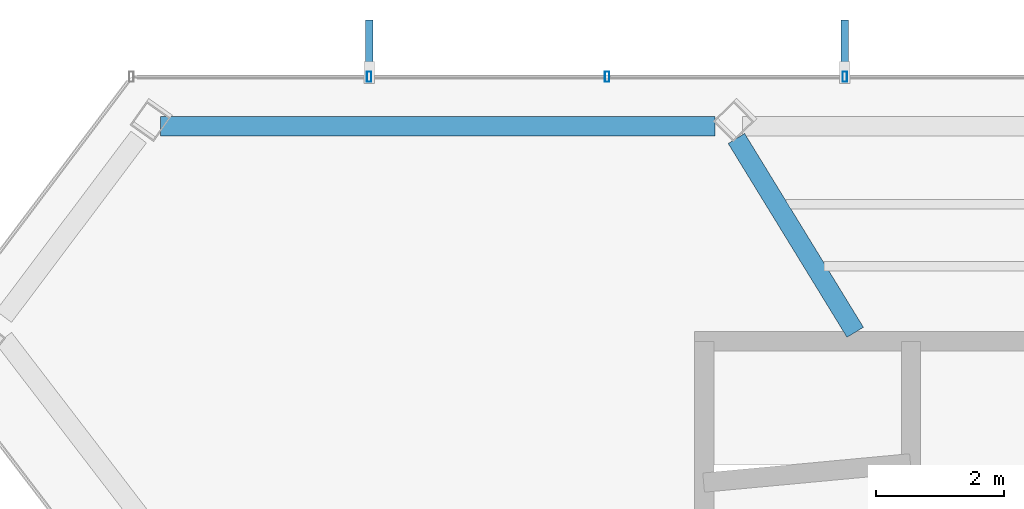
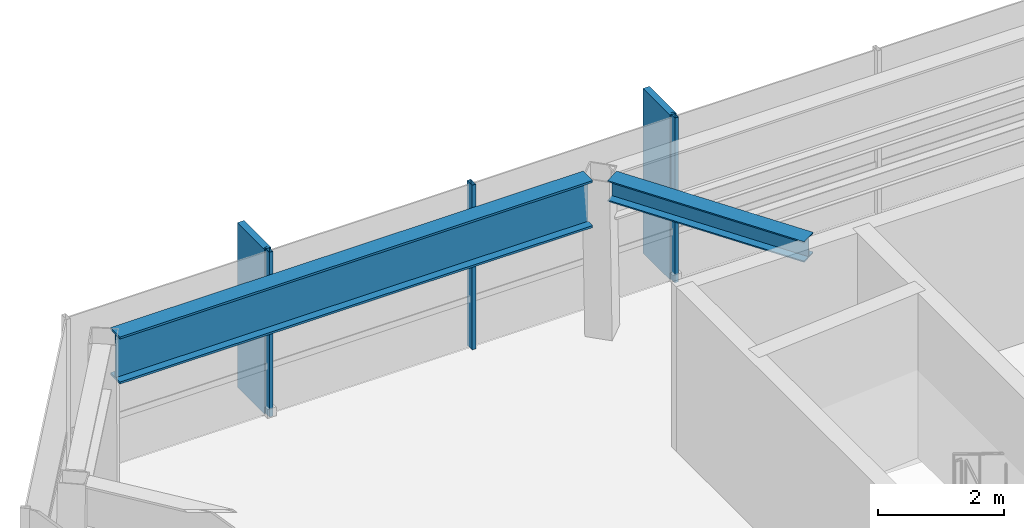
# One storey, part 11 of 22: 5 members, 2 beams, 1 element without a shape of its own.
"""IFC4 building model written with IfcOpenShell, lengths in metres."""

import ifcopenshell
import ifcopenshell.guid

model = None  # the IFC model being written
_history = None  # IfcOwnerHistory: only IFC2X3 demands one
_inside = {}  # id of a spatial element -> (the spatial element, [elements in it])
_under = {}  # id of a project, library or spatial element -> (it, [spatial elements below it])
_declared = {}  # id of a project -> (the project, [libraries it declares])
_typed = {}  # id of a type object -> (the type object, [elements of that type])
_made_of = {}  # id of a material, layer set ... -> (it, [elements and type objects made of it])


def new_model(schema):
    """Start an empty IFC model of exactly this schema.

    Asked for "IFC4X3", IfcOpenShell would pick the latest addendum, in which some entities
    have other attributes; the version numbers below select the first issue.
    IFC2X3 requires an IfcOwnerHistory on every rooted entity: one is made here for all.
    """
    global model, _history
    if schema == "IFC4X3":
        model = ifcopenshell.file(schema_version=(4, 3, 0, 0))
    else:
        model = ifcopenshell.file(schema=schema)
    _inside.clear()
    _under.clear()
    _declared.clear()
    _typed.clear()
    _made_of.clear()
    _history = None
    if model.schema == "IFC2X3":
        org = make("IfcOrganization", Name="unknown")
        user = make(
            "IfcPersonAndOrganization",
            ThePerson=make("IfcPerson", FamilyName="unknown"),
            TheOrganization=org,
        )
        app = make(
            "IfcApplication",
            ApplicationDeveloper=org,
            Version="unknown",
            ApplicationFullName="unknown",
            ApplicationIdentifier="unknown",
        )
        _history = make(
            "IfcOwnerHistory",
            OwningUser=user,
            OwningApplication=app,
            ChangeAction="ADDED",
            CreationDate=0,
        )
    return model


def make(cls, **values):
    """One entity of the class cls with the attributes given. An attribute that is None is left unset."""
    return model.create_entity(
        cls, **{name: value for name, value in values.items() if value is not None}
    )


def rooted(cls, **values):
    """An entity with a GlobalId (a new one), such as an element, a storey or a relation."""
    return make(cls, GlobalId=ifcopenshell.guid.new(), OwnerHistory=_history, **values)


def si_unit(unit_type, name, prefix=None):
    """IfcSIUnit, for example si_unit("LENGTHUNIT", "METRE", prefix="MILLI")."""
    return make("IfcSIUnit", UnitType=unit_type, Prefix=prefix, Name=name)


def assignment(units):
    """IfcUnitAssignment: the units of a project."""
    return None if units is None else make("IfcUnitAssignment", Units=units)


def point(xyz):
    """IfcCartesianPoint."""
    return None if xyz is None else make("IfcCartesianPoint", Coordinates=xyz)


def direction(xyz):
    """IfcDirection."""
    return None if xyz is None else make("IfcDirection", DirectionRatios=xyz)


def frame(location, z_axis=None, x_axis=None):
    """IfcAxis2Placement3D, a coordinate frame: its origin and axes. An axis left out is left unset."""
    return make(
        "IfcAxis2Placement3D",
        Location=point(location),
        Axis=direction(z_axis),
        RefDirection=direction(x_axis),
    )


def frame_2d(location, x_axis=None):
    """IfcAxis2Placement2D, a coordinate frame in the plane: its origin and x axis."""
    return make(
        "IfcAxis2Placement2D", Location=point(location), RefDirection=direction(x_axis)
    )


def origin():
    """The frame at (0, 0, 0) with its axes left unset."""
    return frame((0.0, 0.0, 0.0))


def origin_2d():
    """The frame at (0, 0) in the plane with its x axis left unset."""
    return frame_2d((0.0, 0.0))


def place(relative_to, where):
    """IfcLocalPlacement: puts the frame where relative to a parent placement (None: the world)."""
    return make(
        "IfcLocalPlacement", PlacementRelTo=relative_to, RelativePlacement=where
    )


def context(
    kind, dimensions, precision=None, world=None, true_north=None, identifier=None
):
    """IfcGeometricRepresentationContext, for example the 3D "Model" context."""
    return make(
        "IfcGeometricRepresentationContext",
        ContextIdentifier=identifier,
        ContextType=kind,
        CoordinateSpaceDimension=dimensions,
        Precision=precision,
        WorldCoordinateSystem=world,
        TrueNorth=true_north,
    )


def subcontext(parent, identifier, kind, view, scale=None):
    """IfcGeometricRepresentationSubContext, for example "Body" below "Model"."""
    return make(
        "IfcGeometricRepresentationSubContext",
        ContextIdentifier=identifier,
        ContextType=kind,
        ParentContext=parent,
        TargetScale=scale,
        TargetView=view,
    )


def project(units=None, contexts=None):
    """IfcProject with its units and contexts."""
    return rooted(
        "IfcProject",
        Name="project",
        RepresentationContexts=contexts,
        UnitsInContext=assignment(units),
    )


def spatial(cls, under=None, at=None, **own):
    """A site, building, storey or space (cls), placed at a placement, below another one or the project."""
    s = rooted(cls, ObjectPlacement=at, **own)
    if under is not None:
        _under.setdefault(under.id(), (under, []))[1].append(s)
    return s


def profile(cls, at=None, kind="AREA", **sizes):
    """A parametric profile (cls). Its sizes go by their IFC names, for example OverallWidth=200.0."""
    return make(cls, ProfileType=kind, Position=at, **sizes)


def rectangle(**sizes):
    """IfcRectangleProfileDef."""
    return profile("IfcRectangleProfileDef", **sizes)


def hollow_rectangle(**sizes):
    """IfcRectangleHollowProfileDef."""
    return profile("IfcRectangleHollowProfileDef", **sizes)


def i_section(**sizes):
    """IfcIShapeProfileDef."""
    return profile("IfcIShapeProfileDef", **sizes)


def extrude(swept, where, along, depth):
    """IfcExtrudedAreaSolid: the profile swept, set in the frame where, extruded along a direction by depth."""
    return make(
        "IfcExtrudedAreaSolid",
        SweptArea=swept,
        Position=where,
        ExtrudedDirection=direction(along),
        Depth=depth,
    )


def shape(context_of_items, identifier, shape_type, items):
    """IfcShapeRepresentation: the items that make up one representation, for example the "Body"."""
    return make(
        "IfcShapeRepresentation",
        ContextOfItems=context_of_items,
        RepresentationIdentifier=identifier,
        RepresentationType=shape_type,
        Items=items,
    )


def material(Name=None, Category=None):
    """IfcMaterial."""
    return make("IfcMaterial", Name=Name, Category=Category)


def layer(
    of_material, thickness, ventilated=None, Name=None, Category=None, Priority=None
):
    """IfcMaterialLayer: one layer of a wall or slab, of a material (None: an air gap)."""
    return make(
        "IfcMaterialLayer",
        Material=of_material,
        LayerThickness=thickness,
        IsVentilated=ventilated,
        Name=Name,
        Category=Category,
        Priority=Priority,
    )


def layer_set(layers, Name=None):
    """IfcMaterialLayerSet."""
    return make("IfcMaterialLayerSet", MaterialLayers=layers, LayerSetName=Name)


def material_profile(
    of_material, cross_section, Name=None, Category=None, Priority=None
):
    """IfcMaterialProfile: a cross section and its material."""
    return make(
        "IfcMaterialProfile",
        Name=Name,
        Material=of_material,
        Profile=cross_section,
        Priority=Priority,
        Category=Category,
    )


def profile_set(profiles, Name=None, composite=None):
    """IfcMaterialProfileSet."""
    return make(
        "IfcMaterialProfileSet",
        Name=Name,
        MaterialProfiles=profiles,
        CompositeProfile=composite,
    )


def made_of(thing, what):
    """Note that an element or type object is made of a material, layer set ...; save() writes the relation."""
    if what is not None:
        _made_of.setdefault(what.id(), (what, []))[1].append(thing)
    return thing


def type_object(cls, material=None, **own):
    """A type object (cls), such as IfcWallType, which elements share."""
    return made_of(rooted(cls, **own), material)


def element(
    cls,
    number,
    at=None,
    inside=None,
    cuts=None,
    type_object=None,
    material=None,
    context=None,
    identifier="Body",
    shape_type=None,
    held_by="IfcProductDefinitionShape",
    body=None,
    shapes=None,
    **own,
):
    """One element of the class cls, such as IfcWall. Its Tag is "e" and its number.

    at: its placement. inside: the storey or other place that contains it. cuts: it is an
    opening in that element (IfcRelVoidsElement). A single representation is given by context,
    identifier, shape_type and body (its items); several are given by shapes. held_by: the class
    of the entity that holds the representations. save() writes the other relations.
    """
    e = rooted(cls, Tag="e%d" % number, ObjectPlacement=at, **own)
    if body is not None:
        shapes = [shape(context, identifier, shape_type, body)]
    if shapes is not None:
        e.Representation = make(held_by, Representations=shapes)
    if inside is not None:
        _inside.setdefault(inside.id(), (inside, []))[1].append(e)
    if cuts is not None:
        rooted(
            "IfcRelVoidsElement", RelatingBuildingElement=cuts, RelatedOpeningElement=e
        )
    if type_object is not None:
        _typed.setdefault(type_object.id(), (type_object, []))[1].append(e)
    return made_of(e, material)


def aggregate(whole, parts):
    """IfcRelAggregates: a whole, such as a stair, and the parts it consists of."""
    return rooted("IfcRelAggregates", RelatingObject=whole, RelatedObjects=parts)


def save(model, path):
    """Write the relations noted so far, then the file.

    IfcRelAggregates (storeys below a building ...), IfcRelContainedInSpatialStructure (elements
    in a storey), IfcRelDefinesByType, IfcRelAssociatesMaterial and IfcRelDeclares: one each for
    every whole, place, type object, material and project.
    """
    for whole, parts in _under.values():
        aggregate(whole, parts)
    for where, things in _inside.values():
        rooted(
            "IfcRelContainedInSpatialStructure",
            RelatedElements=things,
            RelatingStructure=where,
        )
    for kind, things in _typed.values():
        rooted("IfcRelDefinesByType", RelatedObjects=things, RelatingType=kind)
    for what, things in _made_of.values():
        rooted("IfcRelAssociatesMaterial", RelatedObjects=things, RelatingMaterial=what)
    for by, libraries in _declared.values():
        rooted("IfcRelDeclares", RelatingContext=by, RelatedDefinitions=libraries)
    model.write(path)


model = new_model("IFC4")

# Units and contexts
model_context = context("Model", 3, precision=1e-05, world=origin(), true_north=direction((0.0, 1.0)))
body_context = subcontext(model_context, "Body", "Model", "MODEL_VIEW")
ifc_project = project(units=[si_unit("LENGTHUNIT", "METRE"), si_unit("AREAUNIT", "SQUARE_METRE"), si_unit("VOLUMEUNIT", "CUBIC_METRE"), si_unit("PLANEANGLEUNIT", "RADIAN"), si_unit("MASSUNIT", "GRAM", prefix="KILO")], contexts=[model_context])

# Site, building, storey
site_placement = place(None, origin())
site = spatial("IfcSite", under=ifc_project, at=site_placement, CompositionType="ELEMENT")
building_placement = place(site_placement, origin())
building = spatial("IfcBuilding", under=site, at=building_placement, Name="Zarrinselat Tower", CompositionType="ELEMENT")
storey_placement = place(building_placement, frame((0.0, 0.0, 295.800048828125)))
storey = spatial("IfcBuildingStorey", under=building, at=storey_placement, Name="L76", CompositionType="ELEMENT", Elevation=295.800048828125)

# Beams
ifc_material_1 = material(Name="Steel S355J2", Category="steel")
ifc_material_profile_1 = material_profile(ifc_material_1, i_section(OverallWidth=0.300048828125, OverallDepth=0.39990234375, WebThickness=0.013427734375, FlangeThickness=0.02392578125, at=origin_2d()), Name="HEB 400")
ifc_profile_set_1 = profile_set([ifc_material_profile_1], Name="Steel S355J2")
beam_type_1 = type_object("IfcBeamType", Name="BM-HEB400", PredefinedType="BEAM", material=ifc_profile_set_1)
beam_1_placement = place(storey_placement, frame((29.150634765625, 46.556396484375, 2.97998046875), z_axis=(0.522691496234, -0.852521905739, 0.0), x_axis=(0.852521905739, 0.522691496234, 0.0)))
element("IfcBeam", 1, at=beam_1_placement, inside=storey, type_object=beam_type_1, Name="L76 Radial Primary Girder RG04", PredefinedType="BEAM", context=body_context, shape_type="SweptSolid", body=[
    extrude(i_section(OverallWidth=0.300048828125, OverallDepth=0.39990234375, WebThickness=0.013427734375, FlangeThickness=0.02392578125, at=origin_2d()), origin(), (0.0, 0.0, 1.0), 3.5380859375),
])
ifc_material_2 = material(Name="Steel S460M", Category="steel")
ifc_material_profile_2 = material_profile(ifc_material_2, i_section(OverallWidth=0.302001953125, OverallDepth=0.909912109375, WebThickness=0.02099609375, FlangeThickness=0.0400390625, at=origin_2d()), Name="HEM 900")
ifc_profile_set_2 = profile_set([ifc_material_profile_2], Name="Steel S460M")
beam_type_2 = type_object("IfcBeamType", Name="BM-HEM900", PredefinedType="BEAM", material=ifc_profile_set_2)
beam_2_placement = place(storey_placement, frame((20.185546875, 46.75, 2.724853515625), z_axis=(1.0, 0.0, 0.0), x_axis=(0.0, 1.0, 0.0)))
element("IfcBeam", 2, at=beam_2_placement, inside=storey, type_object=beam_type_2, Name="L76 Perimeter Spandrel Girder SP04", PredefinedType="BEAM", context=body_context, shape_type="SweptSolid", body=[
    extrude(i_section(OverallWidth=0.302001953125, OverallDepth=0.909912109375, WebThickness=0.02099609375, FlangeThickness=0.0400390625, at=origin_2d()), origin(), (0.0, 0.0, 1.0), 8.633544921875),
])

# Curtain wall, members
ifc_material_3 = material(Name="Extruded Aluminium Alloy EN AW-6063 T6", Category="aluminium")
ifc_layer = layer(ifc_material_3, 0.169921875)
ifc_layer_set = layer_set([ifc_layer], Name="Extruded Aluminium Alloy EN AW-6063 T6")
curtain_wall_type = type_object("IfcCurtainWallType", Name="CWS-RES", PredefinedType="NOTDEFINED", material=ifc_layer_set)
curtain_wall_placement = place(storey_placement, origin())
curtain_wall = element("IfcCurtainWall", 3, at=curtain_wall_placement, inside=storey, type_object=curtain_wall_type, Name="L76 Unitised Curtain Wall CW-L76-E01", PredefinedType="NOTDEFINED")
ifc_material_4 = material(Name="Extruded Aluminium Alloy EN AW-6063 T6", Category="aluminium")
ifc_material_profile_3 = material_profile(ifc_material_4, hollow_rectangle(XDim=0.070068359375, YDim=0.159912109375, WallThickness=0.00390625, at=origin_2d()), Name="RHS 160x70x4")
ifc_profile_set_3 = profile_set([ifc_material_profile_3], Name="Extruded Aluminium Alloy EN AW-6063 T6")
member_type_1 = type_object("IfcMemberType", Name="MEM-CW-MUL2", PredefinedType="MULLION", material=ifc_profile_set_3)
member_1_placement = place(storey_placement, frame((30.8388671875, 47.5166015625, 0.0), z_axis=(0.0, 0.0, 1.0), x_axis=(-1.0, 0.0, 0.0)))
member_1 = element("IfcMember", 4, at=member_1_placement, type_object=member_type_1, Name="CW-L76-E01 Mullion 7", PredefinedType="MULLION", context=body_context, shape_type="SweptSolid", body=[
    extrude(hollow_rectangle(XDim=0.070068359375, YDim=0.159912109375, WallThickness=0.00390625, at=origin_2d()), origin(), (0.0, 0.0, 1.0), 3.179931640625),
])
member_2_placement = place(storey_placement, frame((27.13623046875, 47.5166015625, 0.0), z_axis=(0.0, 0.0, 1.0), x_axis=(-1.0, 0.0, 0.0)))
member_2 = element("IfcMember", 5, at=member_2_placement, type_object=member_type_1, Name="CW-L76-E01 Mullion 8", PredefinedType="MULLION", context=body_context, shape_type="SweptSolid", body=[
    extrude(hollow_rectangle(XDim=0.070068359375, YDim=0.159912109375, WallThickness=0.00390625, at=origin_2d()), origin(), (0.0, 0.0, 1.0), 3.179931640625),
])
member_3_placement = place(storey_placement, frame((23.43359375, 47.5166015625, 0.0), z_axis=(0.0, 0.0, 1.0), x_axis=(-1.0, 0.0, 0.0)))
member_3 = element("IfcMember", 6, at=member_3_placement, type_object=member_type_1, Name="CW-L76-E01 Mullion 9", PredefinedType="MULLION", context=body_context, shape_type="SweptSolid", body=[
    extrude(hollow_rectangle(XDim=0.070068359375, YDim=0.159912109375, WallThickness=0.00390625, at=origin_2d()), origin(), (0.0, 0.0, 1.0), 3.179931640625),
])
ifc_material_5 = material(Name="Honed Cream Travertine Stone", Category="masonry")
ifc_material_profile_4 = material_profile(ifc_material_5, rectangle(XDim=0.1201171875, YDim=0.85009765625, at=origin_2d()), Name="FIN 850x120")
ifc_profile_set_4 = profile_set([ifc_material_profile_4], Name="Honed Cream Travertine Stone")
member_type_2 = type_object("IfcMemberType", Name="MEM-STONE-FIN", PredefinedType="USERDEFINED", material=ifc_profile_set_4)
member_4_placement = place(storey_placement, frame((30.8388671875, 47.976806640625, 0.0), z_axis=(0.0, 0.0, 1.0), x_axis=(1.0, 0.0, 0.0)))
member_4 = element("IfcMember", 7, at=member_4_placement, type_object=member_type_2, Name="L76 Stone Shading Fin CW-L76-E01-07", ObjectType="FIN", PredefinedType="USERDEFINED", context=body_context, shape_type="SweptSolid", body=[
    extrude(rectangle(XDim=0.1201171875, YDim=0.85009765625, at=origin_2d()), origin(), (0.0, 0.0, 1.0), 3.179931640625),
])
member_5_placement = place(storey_placement, frame((23.43359375, 47.976806640625, 0.0), z_axis=(0.0, 0.0, 1.0), x_axis=(1.0, 0.0, 0.0)))
member_5 = element("IfcMember", 8, at=member_5_placement, type_object=member_type_2, Name="L76 Stone Shading Fin CW-L76-E01-09", ObjectType="FIN", PredefinedType="USERDEFINED", context=body_context, shape_type="SweptSolid", body=[
    extrude(rectangle(XDim=0.1201171875, YDim=0.85009765625, at=origin_2d()), origin(), (0.0, 0.0, 1.0), 3.179931640625),
])
aggregate(curtain_wall, [member_1, member_4, member_2, member_3, member_5])

save(model, "model.ifc")
